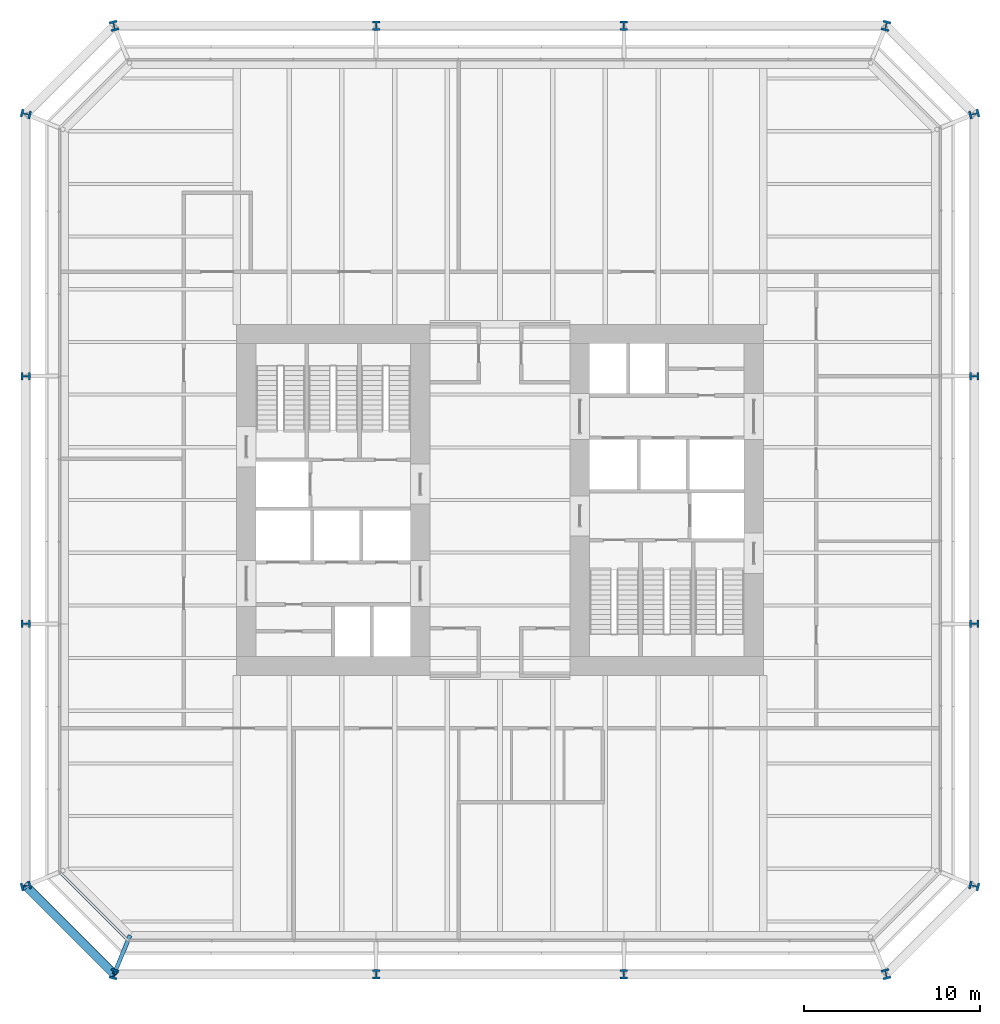
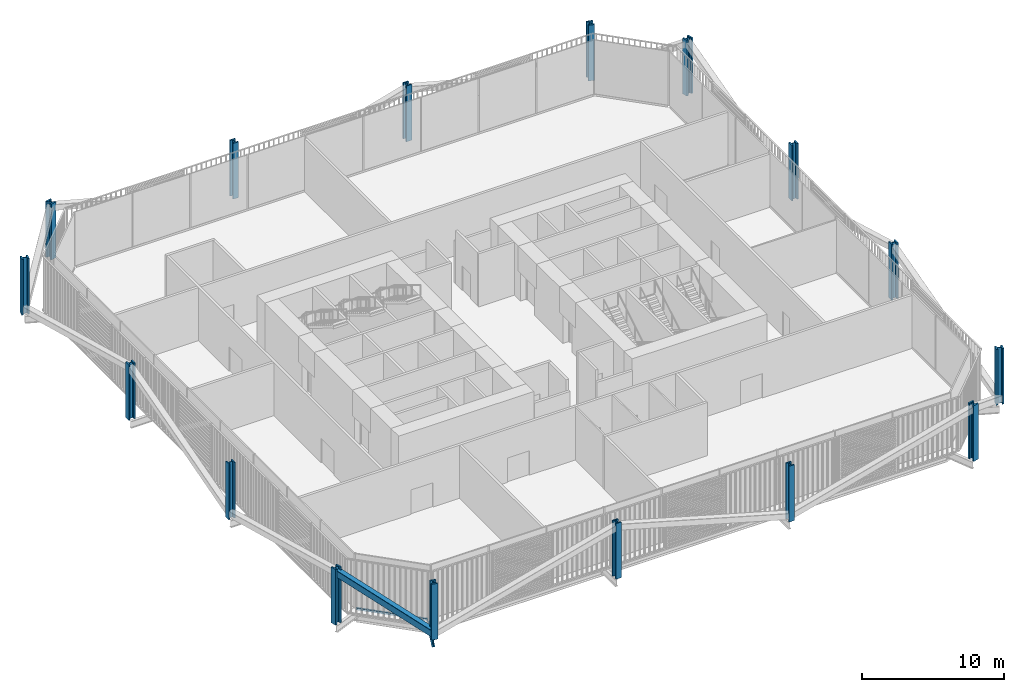
# One storey, part 1 of 22: 16 columns, 2 members, 1 beam, 1 element without a shape of its own.
"""IFC4 building model written with IfcOpenShell, lengths in metres."""

from ifc_helpers import new_model, si_unit, direction, frame, origin, origin_2d, place, context, subcontext, project, spatial, rectangle, hollow_rectangle, i_section, extrude, material, layer, layer_set, material_profile, profile_set, type_object, element, aggregate, save


model = new_model("IFC4")

# Units and contexts
model_context = context("Model", 3, precision=1e-05, world=origin(), true_north=direction((0.0, 1.0)))
body_context = subcontext(model_context, "Body", "Model", "MODEL_VIEW")
ifc_project = project(units=[si_unit("LENGTHUNIT", "METRE"), si_unit("AREAUNIT", "SQUARE_METRE"), si_unit("VOLUMEUNIT", "CUBIC_METRE"), si_unit("PLANEANGLEUNIT", "RADIAN"), si_unit("MASSUNIT", "GRAM", prefix="KILO")], contexts=[model_context])

# Site, building, storey
site_placement = place(None, origin())
site = spatial("IfcSite", under=ifc_project, at=site_placement, CompositionType="ELEMENT")
building_placement = place(site_placement, origin())
building = spatial("IfcBuilding", under=site, at=building_placement, Name="Millrace Tower", CompositionType="ELEMENT")
storey_placement = place(building_placement, frame((0.0, 0.0, 30.5)))
storey = spatial("IfcBuildingStorey", under=building, at=storey_placement, Name="L07", CompositionType="ELEMENT", Elevation=30.5)

# Columns
ifc_material_1 = material(Name="Steel ASTM A913 Grade 65", Category="steel")
ifc_material_profile_1 = material_profile(ifc_material_1, i_section(OverallWidth=0.44189453125, OverallDepth=0.53076171875, WebThickness=0.06591796875, FlangeThickness=0.105712890625, FilletRadius=0.01513671875, at=origin_2d()))
ifc_profile_set_1 = profile_set([ifc_material_profile_1], Name="Steel ASTM A913 Grade 65")
column_type_1 = type_object("IfcColumnType", Name="Exoskeleton column W14x605", PredefinedType="COLUMN", material=ifc_profile_set_1)
for number, where, z_axis, x_axis, name in (
    (1, (-7.050048828125, -27.0, 0.0), (0.0, 0.0, 1.0), (1.0, 0.0, 0.0), "COL-A-L07-X03"),
    (2, (7.050048828125, -27.0, 0.0), (0.0, 0.0, 1.0), (1.0, 0.0, 0.0), "COL-A-L07-X04"),
    (3, (27.0, -7.050048828125, 0.0), (0.0, 0.0, 1.0), (0.0, 1.0, 0.0), "COL-A-L07-X07"),
    (4, (27.0, 7.050048828125, 0.0), (0.0, 0.0, 1.0), (0.0, 1.0, 0.0), "COL-A-L07-X08"),
    (5, (7.050048828125, 27.0, 0.0), (0.0, 0.0, 1.0), (-1.0, 0.0, 0.0), "COL-A-L07-X11"),
    (6, (-7.050048828125, 27.0, 0.0), (0.0, 0.0, 1.0), (-1.0, 0.0, 0.0), "COL-A-L07-X12"),
    (7, (-27.0, 7.050048828125, 0.0), (0.0, 0.0, 1.0), (0.0, -1.0, 0.0), "COL-A-L07-X15"),
    (8, (-27.0, -7.050048828125, 0.0), (0.0, 0.0, 1.0), (0.0, -1.0, 0.0), "COL-A-L07-X16"),
):
    element("IfcColumn", number, at=place(storey_placement, frame(where, z_axis=z_axis, x_axis=x_axis)), inside=storey, type_object=column_type_1, Name=name, PredefinedType="COLUMN", context=body_context, shape_type="SweptSolid", body=[
        extrude(i_section(OverallWidth=0.44189453125, OverallDepth=0.53076171875, WebThickness=0.06591796875, FlangeThickness=0.105712890625, FilletRadius=0.01513671875, at=origin_2d()), origin(), (0.0, 0.0, 1.0), 4.800048828125),
    ])
ifc_material_2 = material(Name="Steel ASTM A913 Grade 65", Category="steel")
ifc_material_profile_2 = material_profile(ifc_material_2, i_section(OverallWidth=0.45458984375, OverallDepth=0.56884765625, WebThickness=0.077880859375, FlangeThickness=0.124755859375, FilletRadius=0.01513671875, at=origin_2d()))
ifc_profile_set_2 = profile_set([ifc_material_profile_2], Name="Steel ASTM A913 Grade 65")
column_type_2 = type_object("IfcColumnType", Name="Exoskeleton column W14x730", PredefinedType="COLUMN", material=ifc_profile_set_2)
for number, where, z_axis, x_axis, name in (
    (9, (-27.0, -21.978515625, 0.0), (0.0, 0.0, 1.0), (0.244094142872, -0.969751540043, 0.0), "COL-A-L07-X01"),
    (10, (-21.978515625, -27.0, 0.0), (0.0, 0.0, 1.0), (0.969751540043, -0.244094142872, 0.0), "COL-A-L07-X02"),
    (11, (21.978515625, -27.0, 0.0), (0.0, 0.0, 1.0), (0.969751540043, 0.244094142872, 0.0), "COL-A-L07-X05"),
    (12, (27.0, -21.978515625, 0.0), (0.0, 0.0, 1.0), (0.244094142872, 0.969751540043, 0.0), "COL-A-L07-X06"),
    (13, (27.0, 21.978515625, 0.0), (0.0, 0.0, 1.0), (-0.244094142872, 0.969751540043, 0.0), "COL-A-L07-X09"),
    (14, (21.978515625, 27.0, 0.0), (0.0, 0.0, 1.0), (-0.969751540043, 0.244094142872, 0.0), "COL-A-L07-X10"),
    (15, (-21.978515625, 27.0, 0.0), (0.0, 0.0, 1.0), (-0.969751540043, -0.244094142872, 0.0), "COL-A-L07-X13"),
    (16, (-27.0, 21.978515625, 0.0), (0.0, 0.0, 1.0), (-0.244094142872, -0.969751540043, 0.0), "COL-A-L07-X14"),
):
    element("IfcColumn", number, at=place(storey_placement, frame(where, z_axis=z_axis, x_axis=x_axis)), inside=storey, type_object=column_type_2, Name=name, PredefinedType="COLUMN", context=body_context, shape_type="SweptSolid", body=[
        extrude(i_section(OverallWidth=0.45458984375, OverallDepth=0.56884765625, WebThickness=0.077880859375, FlangeThickness=0.124755859375, FilletRadius=0.01513671875, at=origin_2d()), origin(), (0.0, 0.0, 1.0), 4.800048828125),
    ])

# Curtain wall, member
ifc_material_3 = material(Name="Aluminium and glass", Category="aluminium")
ifc_layer = layer(ifc_material_3, 0.14990234375)
ifc_layer_set = layer_set([ifc_layer], Name="Aluminium and glass")
curtain_wall_type = type_object("IfcCurtainWallType", Name="CW-2 data hall insulated curtain wall", PredefinedType="NOTDEFINED", material=ifc_layer_set)
curtain_wall_placement = place(storey_placement, origin())
curtain_wall = element("IfcCurtainWall", 17, at=curtain_wall_placement, inside=storey, type_object=curtain_wall_type, Name="Curtain wall A-F01 L07", PredefinedType="NOTDEFINED")
ifc_material_4 = material(Name="Aluminium", Category="aluminium")
ifc_material_profile_3 = material_profile(ifc_material_4, rectangle(XDim=0.14990234375, YDim=0.159912109375, at=origin_2d()))
ifc_profile_set_3 = profile_set([ifc_material_profile_3], Name="Aluminium")
member_type_1 = type_object("IfcMemberType", Name="CW-2 data hall insulated curtain wall transom", PredefinedType="USERDEFINED", material=ifc_profile_set_3)
member_1_placement = place(storey_placement, frame((-24.982421875, -21.273681640625, 0.080078125), z_axis=(0.707106781187, -0.707106781187, 0.0), x_axis=(0.707106781187, 0.707106781187, 0.0)))
member_1 = element("IfcMember", 18, at=member_1_placement, type_object=member_type_1, Name="CW2 transom A-F01.1", ObjectType="TRANSOM", PredefinedType="USERDEFINED", context=body_context, shape_type="SweptSolid", body=[
    extrude(rectangle(XDim=0.14990234375, YDim=0.159912109375, at=origin_2d()), origin(), (0.0, 0.0, 1.0), 5.244873046875),
])
aggregate(curtain_wall, [member_1])

# Member
ifc_material_5 = material(Name="Steel ASTM A500 Grade C", Category="steel")
ifc_material_profile_4 = material_profile(ifc_material_5, hollow_rectangle(XDim=0.508056640625, YDim=0.508056640625, WallThickness=0.022216796875, InnerFilletRadius=0.01123046875, OuterFilletRadius=0.033447265625, at=origin_2d()))
ifc_profile_set_4 = profile_set([ifc_material_profile_4], Name="Steel ASTM A500 Grade C")
member_type_2 = type_object("IfcMemberType", Name="Exoskeleton brace HSS20x20x7/8", PredefinedType="BRACE", material=ifc_profile_set_4)
member_2_placement = place(storey_placement, frame((-21.978515625, -27.0, 0.39990234375), z_axis=(-0.616095438492, 0.616095438492, 0.490767583831), x_axis=(-0.707106781187, -0.707106781187, 0.0)))
element("IfcMember", 19, at=member_2_placement, inside=storey, type_object=member_type_2, Name="BRC-A-L07-01", PredefinedType="BRACE", context=body_context, shape_type="SweptSolid", body=[
    extrude(hollow_rectangle(XDim=0.508056640625, YDim=0.508056640625, WallThickness=0.022216796875, InnerFilletRadius=0.01123046875, OuterFilletRadius=0.033447265625, at=origin_2d()), origin(), (0.0, 0.0, 1.0), 8.150390625),
])

# Beam
ifc_material_6 = material(Name="Steel ASTM A992 Grade 50", Category="steel")
ifc_material_profile_5 = material_profile(ifc_material_6, i_section(OverallWidth=0.23046875, OverallDepth=0.6171875, WebThickness=0.01318359375, FlangeThickness=0.022216796875, FilletRadius=0.012939453125, at=origin_2d()))
ifc_profile_set_5 = profile_set([ifc_material_profile_5], Name="Steel ASTM A992 Grade 50")
beam_type = type_object("IfcBeamType", Name="Link beam W24x94", PredefinedType="BEAM", material=ifc_profile_set_5)
beam_placement = place(storey_placement, frame((-21.062744140625, -24.7890625, -0.53369140625), z_axis=(-0.382673155247, -0.923883789366, 0.0), x_axis=(0.923883789366, -0.382673155247, 0.0)))
element("IfcBeam", 20, at=beam_placement, inside=storey, type_object=beam_type, Name="LNK-A-L07-S1-16", PredefinedType="BEAM", context=body_context, shape_type="SweptSolid", body=[
    extrude(i_section(OverallWidth=0.23046875, OverallDepth=0.6171875, WebThickness=0.01318359375, FlangeThickness=0.022216796875, FilletRadius=0.012939453125, at=origin_2d()), origin(), (0.0, 0.0, 1.0), 2.39306640625),
])

save(model, "model.ifc")
